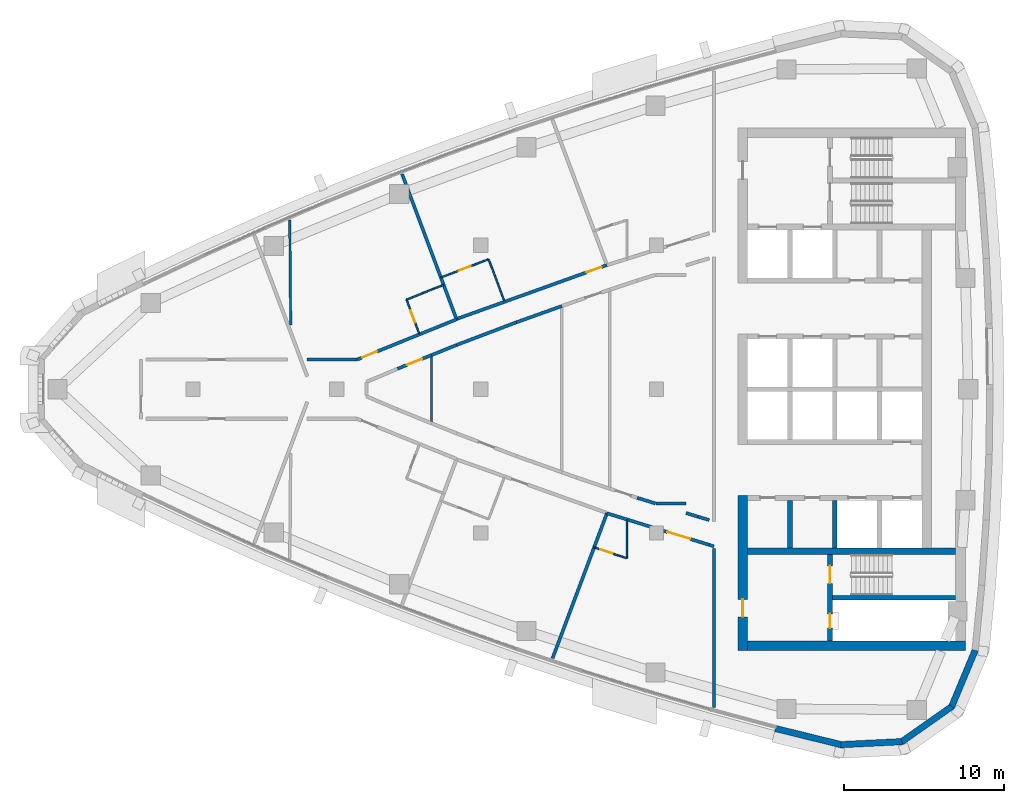
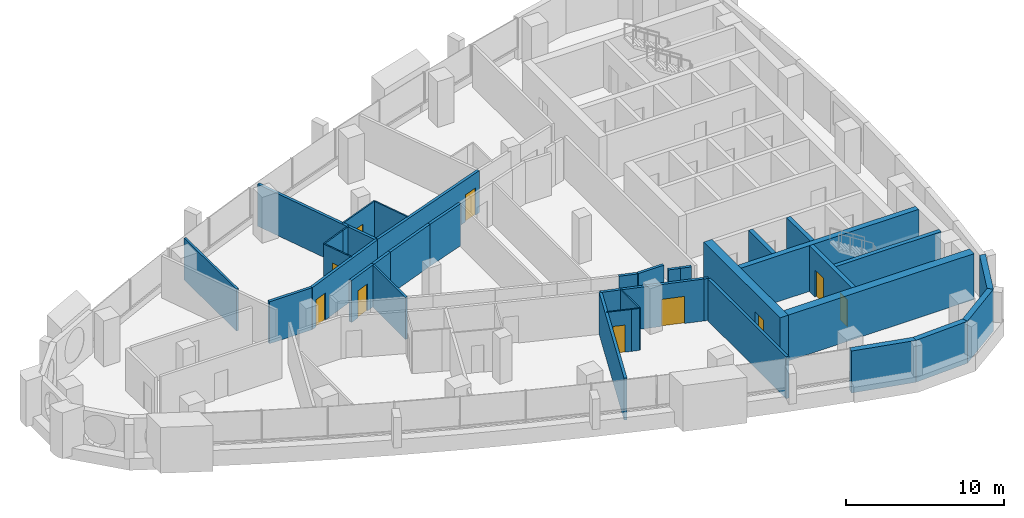
# One storey, part 9 of 15: 37 walls, 10 doors, 10 openings.
"""IFC4 building model written with IfcOpenShell, lengths in metres."""

from ifc_helpers import new_model, si_unit, direction, frame, frame_2d, origin, place, context, subcontext, project, spatial, polyline, rectangle, outline, extrude, material, layer, layer_set, type_object, element, fill, save


model = new_model("IFC4")

# Units and contexts
model_context = context("Model", 3, precision=1e-05, world=origin(), true_north=direction((0.0, 1.0)))
body_context = subcontext(model_context, "Body", "Model", "MODEL_VIEW")
ifc_project = project(units=[si_unit("LENGTHUNIT", "METRE"), si_unit("AREAUNIT", "SQUARE_METRE"), si_unit("VOLUMEUNIT", "CUBIC_METRE"), si_unit("PLANEANGLEUNIT", "RADIAN"), si_unit("MASSUNIT", "GRAM", prefix="KILO")], contexts=[model_context])

# Site, building, storey
site_placement = place(None, origin())
site = spatial("IfcSite", under=ifc_project, at=site_placement, CompositionType="ELEMENT")
building_placement = place(site_placement, origin())
building = spatial("IfcBuilding", under=site, at=building_placement, Name="Ostrand Prow Hotel Tower", CompositionType="ELEMENT")
storey_placement = place(building_placement, frame((0.0, 0.0, 231.449951171875)))
storey = spatial("IfcBuildingStorey", under=building, at=storey_placement, Name="L58", CompositionType="ELEMENT", Elevation=231.449951171875)

# Walls
ifc_material_1 = material(Name="Concrete C50/60", Category="concrete")
ifc_layer_1 = layer(ifc_material_1, 0.300048828125)
ifc_layer_set_1 = layer_set([ifc_layer_1], Name="Concrete C50/60")
wall_type_1 = type_object("IfcWallType", Name="Core wall 300 C50/60", PredefinedType="SHEAR", material=ifc_layer_set_1)
for number, where, z_axis, x_axis, name in (
    (1, (53.35009765625, -9.949951171875, 0.0), (0.0, 0.0, 1.0), (0.0, 1.0, 0.0), "Core wall PW-R1-SA"),
    (2, (56.14990234375, -9.949951171875, 0.0), (0.0, 0.0, 1.0), (0.0, 1.0, 0.0), "Core wall PW-R2-SA"),
):
    element("IfcWall", number, at=place(storey_placement, frame(where, z_axis=z_axis, x_axis=x_axis)), inside=storey, type_object=wall_type_1, Name=name, PredefinedType="SHEAR", context=body_context, shape_type="SweptSolid", body=[
        extrude(rectangle(XDim=3.0, YDim=0.300048828125, at=frame_2d((1.5, 0.0))), origin(), (0.0, 0.0, 1.0), 3.550048828125),
    ])

# Wall, openings, doors
wall_1_placement = place(storey_placement, frame((55.85009765625, -15.75, 0.0), z_axis=(0.0, 0.0, 1.0), x_axis=(0.0, 1.0, 0.0)))
wall_1 = element("IfcWall", 3, at=wall_1_placement, inside=storey, type_object=wall_type_1, Name="Core wall PW-VS", PredefinedType="SHEAR", context=body_context, shape_type="SweptSolid", body=[
    extrude(rectangle(XDim=5.39990234375, YDim=0.300048828125, at=frame_2d((2.699951171875, 0.0))), origin(), (0.0, 0.0, 1.0), 3.550048828125),
])
opening_1_placement = place(wall_1_placement, frame((3.60009765625, 0.0, 0.0)))
opening_1 = element("IfcOpeningElement", 4, at=opening_1_placement, cuts=wall_1, Name="Opening FD1", PredefinedType="OPENING", context=body_context, shape_type="SweptSolid", body=[
    extrude(rectangle(XDim=1.10009765625, YDim=2.10009765625, at=frame_2d((0.550048828125, 1.050048828125))), frame((0.0, 0.159912109375, 0.0), z_axis=(0.0, -1.0, 0.0), x_axis=(1.0, 0.0, 0.0)), (0.0, 0.0, 1.0), 0.320068359375),
])
opening_2_placement = place(wall_1_placement, frame((0.800048828125, 0.0, 0.0)))
opening_2 = element("IfcOpeningElement", 5, at=opening_2_placement, cuts=wall_1, Name="Opening FD2", PredefinedType="OPENING", context=body_context, shape_type="SweptSolid", body=[
    extrude(rectangle(XDim=0.89990234375, YDim=2.10009765625, at=frame_2d((0.449951171875, 1.050048828125))), frame((0.0, 0.159912109375, 0.0), z_axis=(0.0, -1.0, 0.0), x_axis=(1.0, 0.0, 0.0)), (0.0, 0.0, 1.0), 0.320068359375),
])
ifc_material_2 = material(Name="Steel fire door", Category="steel")
door_type_1 = type_object("IfcDoorType", Name="Fire door 1100 EI120", OperationType="SINGLE_SWING_RIGHT", PredefinedType="DOOR", material=ifc_material_2)
door_1_placement = place(opening_1_placement, origin())
door_1 = element("IfcDoor", 6, at=door_1_placement, inside=storey, type_object=door_type_1, Name="FIRE DOOR", OperationType="SINGLE_SWING_RIGHT", OverallHeight=2.10009765625, OverallWidth=1.10009765625, PredefinedType="DOOR", context=body_context, shape_type="SweptSolid", body=[
    extrude(rectangle(XDim=1.10009765625, YDim=2.10009765625, at=frame_2d((0.550048828125, 1.050048828125))), frame((0.0, 0.02490234375, 0.0), z_axis=(0.0, -1.0, 0.0), x_axis=(1.0, 0.0, 0.0)), (0.0, 0.0, 1.0), 0.050048828125),
])
fill(opening_1, door_1)
ifc_material_3 = material(Name="Steel fire door", Category="steel")
door_type_2 = type_object("IfcDoorType", Name="Fire door 900 EI120", OperationType="SINGLE_SWING_LEFT", PredefinedType="DOOR", material=ifc_material_3)
door_2_placement = place(opening_2_placement, origin())
door_2 = element("IfcDoor", 7, at=door_2_placement, inside=storey, type_object=door_type_2, Name="FIRE DOOR", OperationType="SINGLE_SWING_LEFT", OverallHeight=2.10009765625, OverallWidth=0.89990234375, PredefinedType="DOOR", context=body_context, shape_type="SweptSolid", body=[
    extrude(rectangle(XDim=0.89990234375, YDim=2.10009765625, at=frame_2d((0.449951171875, 1.050048828125))), frame((0.0, 0.02490234375, 0.0), z_axis=(0.0, -1.0, 0.0), x_axis=(1.0, 0.0, 0.0)), (0.0, 0.0, 1.0), 0.050048828125),
])
fill(opening_2, door_2)

# Walls
wall_2_placement = place(storey_placement, frame((56.0, -13.050048828125, 0.0), z_axis=(0.0, 0.0, 1.0), x_axis=(1.0, 0.0, 0.0)))
element("IfcWall", 8, at=wall_2_placement, inside=storey, type_object=wall_type_1, Name="Core wall PW-ST2R", PredefinedType="SHEAR", context=body_context, shape_type="SweptSolid", body=[
    extrude(rectangle(XDim=7.719970703125, YDim=0.300048828125, at=frame_2d((3.85986328125, 0.0))), origin(), (0.0, 0.0, 1.0), 3.550048828125),
])
ifc_material_4 = material(Name="Concrete C50/60", Category="concrete")
ifc_layer_2 = layer(ifc_material_4, 0.39990234375)
ifc_layer_set_2 = layer_set([ifc_layer_2], Name="Concrete C50/60")
wall_type_2 = type_object("IfcWallType", Name="Core wall 400 C50/60", PredefinedType="SHEAR", material=ifc_layer_set_2)
wall_3_placement = place(storey_placement, frame((50.699951171875, -10.14990234375, 0.0), z_axis=(0.0, 0.0, 1.0), x_axis=(1.0, 0.0, 0.0)))
element("IfcWall", 9, at=wall_3_placement, inside=storey, type_object=wall_type_2, Name="Core wall PW-BS", PredefinedType="SHEAR", context=body_context, shape_type="SweptSolid", body=[
    extrude(rectangle(XDim=13.02001953125, YDim=0.39990234375, at=frame_2d((6.510009765625, 0.0))), origin(), (0.0, 0.0, 1.0), 3.550048828125),
])

# Wall, opening, door
ifc_material_5 = material(Name="Concrete C50/60", Category="concrete")
ifc_layer_3 = layer(ifc_material_5, 0.60009765625)
ifc_layer_set_3 = layer_set([ifc_layer_3], Name="Concrete C50/60")
wall_type_3 = type_object("IfcWallType", Name="Core wall 600 C50/60", PredefinedType="SHEAR", material=ifc_layer_set_3)
wall_4_placement = place(storey_placement, frame((50.39990234375, -16.35009765625, 0.0), z_axis=(0.0, 0.0, 1.0), x_axis=(0.0, 1.0, 0.0)))
wall_4 = element("IfcWall", 10, at=wall_4_placement, inside=storey, type_object=wall_type_3, Name="Core wall CW-W-S", PredefinedType="SHEAR", context=body_context, shape_type="SweptSolid", body=[
    extrude(rectangle(XDim=9.7001953125, YDim=0.60009765625, at=frame_2d((4.85009765625, 0.0))), origin(), (0.0, 0.0, 1.0), 3.550048828125),
])
opening_3_placement = place(wall_4_placement, frame((2.10009765625, 0.0, 0.0)))
opening_3 = element("IfcOpeningElement", 11, at=opening_3_placement, cuts=wall_4, Name="Opening FD1", PredefinedType="OPENING", context=body_context, shape_type="SweptSolid", body=[
    extrude(rectangle(XDim=1.10009765625, YDim=2.10009765625, at=frame_2d((0.550048828125, 1.050048828125))), frame((0.0, 0.31005859375, 0.0), z_axis=(0.0, -1.0, 0.0), x_axis=(1.0, 0.0, 0.0)), (0.0, 0.0, 1.0), 0.6201171875),
])
door_3_placement = place(opening_3_placement, origin())
door_3 = element("IfcDoor", 12, at=door_3_placement, inside=storey, type_object=door_type_1, Name="FIRE DOOR", OperationType="SINGLE_SWING_RIGHT", OverallHeight=2.10009765625, OverallWidth=1.10009765625, PredefinedType="DOOR", context=body_context, shape_type="SweptSolid", body=[
    extrude(rectangle(XDim=1.10009765625, YDim=2.10009765625, at=frame_2d((0.550048828125, 1.050048828125))), frame((0.0, 0.02490234375, 0.0), z_axis=(0.0, -1.0, 0.0), x_axis=(1.0, 0.0, 0.0)), (0.0, 0.0, 1.0), 0.050048828125),
])
fill(opening_3, door_3)

# Walls
wall_5_placement = place(storey_placement, frame((50.699951171875, -16.050048828125, 0.0), z_axis=(0.0, 0.0, 1.0), x_axis=(1.0, 0.0, 0.0)))
element("IfcWall", 13, at=wall_5_placement, inside=storey, type_object=wall_type_3, Name="Core wall CW-S", PredefinedType="SHEAR", context=body_context, shape_type="SweptSolid", body=[
    extrude(rectangle(XDim=13.6201171875, YDim=0.60009765625, at=frame_2d((6.81005859375, 0.0))), origin(), (0.0, 0.0, 1.0), 3.550048828125),
])
ifc_material_6 = material(Name="Plasterboard partition")
ifc_layer_4 = layer(ifc_material_6, 0.10009765625)
ifc_layer_set_4 = layer_set([ifc_layer_4], Name="Plasterboard partition")
wall_type_4 = type_object("IfcWallType", Name="Partition 100 bathroom wall", PredefinedType="PARTITIONING", material=ifc_layer_set_4)
wall_6_placement = place(storey_placement, frame((29.360107421875, 5.599853515625, 0.0), z_axis=(0.0, 0.0, 1.0), x_axis=(0.927594225674, 0.373589283166, 0.0)))
element("IfcWall", 14, at=wall_6_placement, inside=storey, type_object=wall_type_4, Name="BATHROOM WALL", PredefinedType="PARTITIONING", context=body_context, shape_type="SweptSolid", body=[
    extrude(rectangle(XDim=1.89453125, YDim=0.10009765625, at=frame_2d((0.947265625, 0.0))), origin(), (0.0, 0.0, 1.0), 3.25),
])
wall_7_placement = place(storey_placement, frame((31.117431640625, 6.3076171875, 0.0), z_axis=(0.0, 0.0, 1.0), x_axis=(0.935048188903, 0.354520640342, 0.0)))
element("IfcWall", 15, at=wall_7_placement, inside=storey, type_object=wall_type_4, Name="BATHROOM WALL", PredefinedType="PARTITIONING", context=body_context, shape_type="SweptSolid", body=[
    extrude(rectangle(XDim=0.60595703125, YDim=0.10009765625, at=frame_2d((0.302978515625, 0.0))), origin(), (0.0, 0.0, 1.0), 3.25),
])

# Wall, opening, door
wall_8_placement = place(storey_placement, frame((30.159912109375, 3.46728515625, 0.0), z_axis=(0.0, 0.0, 1.0), x_axis=(-0.351158682313, 0.936315961541, 0.0)))
wall_8 = element("IfcWall", 16, at=wall_8_placement, inside=storey, type_object=wall_type_4, Name="BATHROOM WALL", PredefinedType="PARTITIONING", context=body_context, shape_type="SweptSolid", body=[
    extrude(rectangle(XDim=2.277587890625, YDim=0.10009765625, at=frame_2d((1.138671875, 0.0))), origin(), (0.0, 0.0, 1.0), 3.25),
])
opening_4_placement = place(wall_8_placement, frame((0.75, 0.0, 0.0)))
opening_4 = element("IfcOpeningElement", 17, at=opening_4_placement, cuts=wall_8, Name="Opening D2", PredefinedType="OPENING", context=body_context, shape_type="SweptSolid", body=[
    extrude(rectangle(XDim=0.800048828125, YDim=2.10009765625, at=frame_2d((0.39990234375, 1.050048828125))), frame((0.0, 0.06005859375, 0.0), z_axis=(0.0, -1.0, 0.0), x_axis=(1.0, 0.0, 0.0)), (0.0, 0.0, 1.0), 0.1201171875),
])
ifc_material_7 = material(Name="Timber door leaf", Category="wood")
door_type_3 = type_object("IfcDoorType", Name="Bathroom door 800", OperationType="SINGLE_SWING_LEFT", PredefinedType="DOOR", material=ifc_material_7)
door_4_placement = place(opening_4_placement, origin())
door_4 = element("IfcDoor", 18, at=door_4_placement, inside=storey, type_object=door_type_3, Name="DOOR", OperationType="SINGLE_SWING_LEFT", OverallHeight=2.10009765625, OverallWidth=0.800048828125, PredefinedType="DOOR", context=body_context, shape_type="SweptSolid", body=[
    extrude(rectangle(XDim=0.800048828125, YDim=2.10009765625, at=frame_2d((0.39990234375, 1.050048828125))), frame((0.0, 0.02490234375, 0.0), z_axis=(0.0, -1.0, 0.0), x_axis=(1.0, 0.0, 0.0)), (0.0, 0.0, 1.0), 0.050048828125),
])
fill(opening_4, door_4)

wall_9_placement = place(storey_placement, frame((31.508544921875, 6.99072265625, 0.0), z_axis=(0.0, 0.0, 1.0), x_axis=(0.934948661714, 0.354783032232, 0.0)))
wall_9 = element("IfcWall", 19, at=wall_9_placement, inside=storey, type_object=wall_type_4, Name="BATHROOM WALL", PredefinedType="PARTITIONING", context=body_context, shape_type="SweptSolid", body=[
    extrude(rectangle(XDim=3.199951171875, YDim=0.10009765625, at=frame_2d((1.60009765625, 0.0))), origin(), (0.0, 0.0, 1.0), 3.25),
])
opening_5_placement = place(wall_9_placement, frame((1.199951171875, 0.0, 0.0)))
opening_5 = element("IfcOpeningElement", 20, at=opening_5_placement, cuts=wall_9, Name="Opening D2", PredefinedType="OPENING", context=body_context, shape_type="SweptSolid", body=[
    extrude(rectangle(XDim=0.800048828125, YDim=2.10009765625, at=frame_2d((0.39990234375, 1.050048828125))), frame((0.0, 0.06005859375, 0.0), z_axis=(0.0, -1.0, 0.0), x_axis=(1.0, 0.0, 0.0)), (0.0, 0.0, 1.0), 0.1201171875),
])
door_5_placement = place(opening_5_placement, origin())
door_5 = element("IfcDoor", 21, at=door_5_placement, inside=storey, type_object=door_type_3, Name="DOOR", OperationType="SINGLE_SWING_LEFT", OverallHeight=2.10009765625, OverallWidth=0.800048828125, PredefinedType="DOOR", context=body_context, shape_type="SweptSolid", body=[
    extrude(rectangle(XDim=0.800048828125, YDim=2.10009765625, at=frame_2d((0.39990234375, 1.050048828125))), frame((0.0, 0.02490234375, 0.0), z_axis=(0.0, -1.0, 0.0), x_axis=(1.0, 0.0, 0.0)), (0.0, 0.0, 1.0), 0.050048828125),
])
fill(opening_5, door_5)

# Walls
wall_10_placement = place(storey_placement, frame((34.50048828125, 8.1259765625, 0.0), z_axis=(0.0, 0.0, 1.0), x_axis=(0.351065630332, -0.936350854755, 0.0)))
element("IfcWall", 22, at=wall_10_placement, inside=storey, type_object=wall_type_4, Name="BATHROOM WALL", PredefinedType="PARTITIONING", context=body_context, shape_type="SweptSolid", body=[
    extrude(rectangle(XDim=2.77685546875, YDim=0.10009765625, at=frame_2d((1.388427734375, 0.0))), origin(), (0.0, 0.0, 1.0), 3.25),
])
wall_11_placement = place(storey_placement, frame((43.127685546875, -10.567626953125, 0.0), z_axis=(0.0, 0.0, 1.0), x_axis=(-0.954618903587, 0.297830067176, 0.0)))
element("IfcWall", 23, at=wall_11_placement, inside=storey, type_object=wall_type_4, Name="BATHROOM WALL", PredefinedType="PARTITIONING", context=body_context, shape_type="SweptSolid", body=[
    extrude(rectangle(XDim=0.53125, YDim=0.10009765625, at=frame_2d((0.265625, 0.0))), origin(), (0.0, 0.0, 1.0), 3.25),
])

# Wall, opening, door
wall_12_placement = place(storey_placement, frame((42.62060546875, -10.409423828125, 0.0), z_axis=(0.0, 0.0, 1.0), x_axis=(-0.948485479965, 0.3168206027, 0.0)))
wall_12 = element("IfcWall", 24, at=wall_12_placement, inside=storey, type_object=wall_type_4, Name="BATHROOM WALL", PredefinedType="PARTITIONING", context=body_context, shape_type="SweptSolid", body=[
    extrude(rectangle(XDim=1.60595703125, YDim=0.10009765625, at=frame_2d((0.802978515625, 0.0))), origin(), (0.0, 0.0, 1.0), 3.25),
])
opening_6_placement = place(wall_12_placement, frame((0.39990234375, 0.0, 0.0)))
opening_6 = element("IfcOpeningElement", 25, at=opening_6_placement, cuts=wall_12, Name="Opening D2", PredefinedType="OPENING", context=body_context, shape_type="SweptSolid", body=[
    extrude(rectangle(XDim=0.800048828125, YDim=2.10009765625, at=frame_2d((0.39990234375, 1.050048828125))), frame((0.0, 0.06005859375, 0.0), z_axis=(0.0, -1.0, 0.0), x_axis=(1.0, 0.0, 0.0)), (0.0, 0.0, 1.0), 0.1201171875),
])
door_6_placement = place(opening_6_placement, origin())
door_6 = element("IfcDoor", 26, at=door_6_placement, inside=storey, type_object=door_type_3, Name="DOOR", OperationType="SINGLE_SWING_LEFT", OverallHeight=2.10009765625, OverallWidth=0.800048828125, PredefinedType="DOOR", context=body_context, shape_type="SweptSolid", body=[
    extrude(rectangle(XDim=0.800048828125, YDim=2.10009765625, at=frame_2d((0.39990234375, 1.050048828125))), frame((0.0, 0.02490234375, 0.0), z_axis=(0.0, -1.0, 0.0), x_axis=(1.0, 0.0, 0.0)), (0.0, 0.0, 1.0), 0.050048828125),
])
fill(opening_6, door_6)

# Walls
wall_13_placement = place(storey_placement, frame((43.14501953125, -8.1650390625, 0.0), z_axis=(0.0, 0.0, 1.0), x_axis=(0.0, -1.0, 0.0)))
element("IfcWall", 27, at=wall_13_placement, inside=storey, type_object=wall_type_4, Name="BATHROOM WALL", PredefinedType="PARTITIONING", context=body_context, shape_type="SweptSolid", body=[
    extrude(rectangle(XDim=2.42529296875, YDim=0.10009765625, at=frame_2d((1.212646484375, 0.0))), origin(), (0.0, 0.0, 1.0), 3.25),
])
ifc_material_8 = material(Name="Plasterboard partition")
ifc_layer_5 = layer(ifc_material_8, 0.14990234375)
ifc_layer_set_5 = layer_set([ifc_layer_5], Name="Plasterboard partition")
wall_type_5 = type_object("IfcWallType", Name="Partition 150 room partition", PredefinedType="PARTITIONING", material=ifc_layer_set_5)
wall_14_placement = place(storey_placement, frame((30.926025390625, -2.134033203125, 0.0), z_axis=(0.0, 0.0, 1.0), x_axis=(0.0, 1.0, 0.0)))
element("IfcWall", 28, at=wall_14_placement, inside=storey, type_object=wall_type_5, Name="ROOM PARTITION", PredefinedType="PARTITIONING", context=body_context, shape_type="SweptSolid", body=[
    extrude(rectangle(XDim=4.26806640625, YDim=0.14990234375, at=frame_2d((2.134033203125, 0.0))), origin(), (0.0, 0.0, 1.0), 3.25),
])
wall_15_placement = place(storey_placement, frame((22.057373046875, 10.577880859375, 0.0), z_axis=(0.0, 0.0, 1.0), x_axis=(0.008379594055, -0.999964890585, 0.0)))
element("IfcWall", 29, at=wall_15_placement, inside=storey, type_object=wall_type_5, Name="ROOM PARTITION", PredefinedType="PARTITIONING", context=body_context, shape_type="SweptSolid", body=[
    extrude(rectangle(XDim=6.555419921875, YDim=0.14990234375, at=frame_2d((3.27783203125, 0.0))), origin(), (0.0, 0.0, 1.0), 3.25),
])

# Wall, opening, door
ifc_material_9 = material(Name="Plasterboard partition")
ifc_layer_6 = layer(ifc_material_9, 0.199951171875)
ifc_layer_set_6 = layer_set([ifc_layer_6], Name="Plasterboard partition")
wall_type_6 = type_object("IfcWallType", Name="Partition 200 corridor wall", PredefinedType="PARTITIONING", material=ifc_layer_set_6)
wall_16_placement = place(storey_placement, frame((26.265869140625, 1.85009765625, 0.0), z_axis=(0.0, 0.0, 1.0), x_axis=(0.927007906702, 0.375041785555, 0.0)))
wall_16 = element("IfcWall", 30, at=wall_16_placement, inside=storey, type_object=wall_type_6, Name="CORRIDOR WALL", PredefinedType="PARTITIONING", context=body_context, shape_type="SweptSolid", body=[
    extrude(rectangle(XDim=6.716064453125, YDim=0.199951171875, at=frame_2d((3.35791015625, 0.0))), origin(), (0.0, 0.0, 1.0), 3.25),
])
opening_7_placement = place(wall_16_placement, frame((0.35009765625, 0.0, 0.0)))
opening_7 = element("IfcOpeningElement", 31, at=opening_7_placement, cuts=wall_16, Name="Opening D1", PredefinedType="OPENING", context=body_context, shape_type="SweptSolid", body=[
    extrude(rectangle(XDim=1.0, YDim=2.10009765625, at=frame_2d((0.5, 1.050048828125))), frame((0.0, 0.10986328125, 0.0), z_axis=(0.0, -1.0, 0.0), x_axis=(1.0, 0.0, 0.0)), (0.0, 0.0, 1.0), 0.219970703125),
])
ifc_material_10 = material(Name="Timber door leaf", Category="wood")
door_type_4 = type_object("IfcDoorType", Name="Guest room door 1000", OperationType="SINGLE_SWING_LEFT", PredefinedType="DOOR", material=ifc_material_10)
door_7_placement = place(opening_7_placement, origin())
door_7 = element("IfcDoor", 32, at=door_7_placement, inside=storey, type_object=door_type_4, Name="DOOR", OperationType="SINGLE_SWING_LEFT", OverallHeight=2.10009765625, OverallWidth=1.0, PredefinedType="DOOR", context=body_context, shape_type="SweptSolid", body=[
    extrude(rectangle(XDim=1.0, YDim=2.10009765625, at=frame_2d((0.5, 1.050048828125))), frame((0.0, 0.02490234375, 0.0), z_axis=(0.0, -1.0, 0.0), x_axis=(1.0, 0.0, 0.0)), (0.0, 0.0, 1.0), 0.050048828125),
])
fill(opening_7, door_7)

wall_17_placement = place(storey_placement, frame((41.8984375, 7.764404296875, 0.0), z_axis=(0.0, 0.0, 1.0), x_axis=(-0.941277643829, -0.337633525034, 0.0)))
wall_17 = element("IfcWall", 33, at=wall_17_placement, inside=storey, type_object=wall_type_6, Name="CORRIDOR WALL", PredefinedType="PARTITIONING", context=body_context, shape_type="SweptSolid", body=[
    extrude(rectangle(XDim=10.001220703125, YDim=0.199951171875, at=frame_2d((5.00048828125, 0.0))), origin(), (0.0, 0.0, 1.0), 3.25),
])
opening_8_placement = place(wall_17_placement, frame((0.35009765625, 0.0, 0.0)))
opening_8 = element("IfcOpeningElement", 34, at=opening_8_placement, cuts=wall_17, Name="Opening D1", PredefinedType="OPENING", context=body_context, shape_type="SweptSolid", body=[
    extrude(rectangle(XDim=1.0, YDim=2.10009765625, at=frame_2d((0.5, 1.050048828125))), frame((0.0, 0.10986328125, 0.0), z_axis=(0.0, -1.0, 0.0), x_axis=(1.0, 0.0, 0.0)), (0.0, 0.0, 1.0), 0.219970703125),
])
door_8_placement = place(opening_8_placement, origin())
door_8 = element("IfcDoor", 35, at=door_8_placement, inside=storey, type_object=door_type_4, Name="DOOR", OperationType="SINGLE_SWING_LEFT", OverallHeight=2.10009765625, OverallWidth=1.0, PredefinedType="DOOR", context=body_context, shape_type="SweptSolid", body=[
    extrude(rectangle(XDim=1.0, YDim=2.10009765625, at=frame_2d((0.5, 1.050048828125))), frame((0.0, 0.02490234375, 0.0), z_axis=(0.0, -1.0, 0.0), x_axis=(1.0, 0.0, 0.0)), (0.0, 0.0, 1.0), 0.050048828125),
])
fill(opening_8, door_8)

wall_18_placement = place(storey_placement, frame((28.795654296875, 1.276123046875, 0.0), z_axis=(0.0, 0.0, 1.0), x_axis=(0.927609077038, 0.373552406224, 0.0)))
wall_18 = element("IfcWall", 36, at=wall_18_placement, inside=storey, type_object=wall_type_6, Name="CORRIDOR WALL", PredefinedType="PARTITIONING", context=body_context, shape_type="SweptSolid", body=[
    extrude(rectangle(XDim=2.296630859375, YDim=0.199951171875, at=frame_2d((1.1484375, 0.0))), origin(), (0.0, 0.0, 1.0), 3.25),
])
opening_9_placement = place(wall_18_placement, frame((0.648193359375, 0.0, 0.0)))
opening_9 = element("IfcOpeningElement", 37, at=opening_9_placement, cuts=wall_18, Name="Opening D1R", PredefinedType="OPENING", context=body_context, shape_type="SweptSolid", body=[
    extrude(rectangle(XDim=1.0, YDim=2.10009765625, at=frame_2d((0.5, 1.050048828125))), frame((0.0, 0.10986328125, 0.0), z_axis=(0.0, -1.0, 0.0), x_axis=(1.0, 0.0, 0.0)), (0.0, 0.0, 1.0), 0.219970703125),
])
ifc_material_11 = material(Name="Timber door leaf", Category="wood")
door_type_5 = type_object("IfcDoorType", Name="Guest room door 1000 right", OperationType="SINGLE_SWING_RIGHT", PredefinedType="DOOR", material=ifc_material_11)
door_9_placement = place(opening_9_placement, origin())
door_9 = element("IfcDoor", 38, at=door_9_placement, inside=storey, type_object=door_type_5, Name="DOOR", OperationType="SINGLE_SWING_RIGHT", OverallHeight=2.10009765625, OverallWidth=1.0, PredefinedType="DOOR", context=body_context, shape_type="SweptSolid", body=[
    extrude(rectangle(XDim=1.0, YDim=2.10009765625, at=frame_2d((0.5, 1.050048828125))), frame((0.0, 0.02490234375, 0.0), z_axis=(0.0, -1.0, 0.0), x_axis=(1.0, 0.0, 0.0)), (0.0, 0.0, 1.0), 0.050048828125),
])
fill(opening_9, door_9)

# Walls
wall_19_placement = place(storey_placement, frame((30.926025390625, 2.134033203125, 0.0), z_axis=(0.0, 0.0, 1.0), x_axis=(0.927641577565, 0.373471690456, 0.0)))
element("IfcWall", 39, at=wall_19_placement, inside=storey, type_object=wall_type_6, Name="CORRIDOR WALL", PredefinedType="PARTITIONING", context=body_context, shape_type="SweptSolid", body=[
    extrude(rectangle(XDim=1.6982421875, YDim=0.199951171875, at=frame_2d((0.84912109375, 0.0))), origin(), (0.0, 0.0, 1.0), 3.25),
])
wall_20_placement = place(storey_placement, frame((32.50146484375, 2.768310546875, 0.0), z_axis=(0.0, 0.0, 1.0), x_axis=(0.934950696546, 0.354777669856, 0.0)))
element("IfcWall", 40, at=wall_20_placement, inside=storey, type_object=wall_type_6, Name="CORRIDOR WALL", PredefinedType="PARTITIONING", context=body_context, shape_type="SweptSolid", body=[
    extrude(rectangle(XDim=3.99462890625, YDim=0.199951171875, at=frame_2d((1.997314453125, 0.0))), origin(), (0.0, 0.0, 1.0), 3.25),
])
wall_21_placement = place(storey_placement, frame((36.236328125, 4.185546875, 0.0), z_axis=(0.0, 0.0, 1.0), x_axis=(0.941908381697, 0.335869916023, 0.0)))
element("IfcWall", 41, at=wall_21_placement, inside=storey, type_object=wall_type_6, Name="CORRIDOR WALL", PredefinedType="PARTITIONING", context=body_context, shape_type="SweptSolid", body=[
    extrude(rectangle(XDim=3.017333984375, YDim=0.199951171875, at=frame_2d((1.5087890625, 0.0))), origin(), (0.0, 0.0, 1.0), 3.25),
])
wall_22_placement = place(storey_placement, frame((47.60205078125, -7.982421875, 0.0), z_axis=(0.0, 0.0, 1.0), x_axis=(-0.95461224237, 0.297851417181, 0.0)))
element("IfcWall", 42, at=wall_22_placement, inside=storey, type_object=wall_type_6, Name="CORRIDOR WALL", PredefinedType="PARTITIONING", context=body_context, shape_type="SweptSolid", body=[
    extrude(rectangle(XDim=0.78759765625, YDim=0.199951171875, at=frame_2d((0.393798828125, 0.0))), origin(), (0.0, 0.0, 1.0), 3.25),
])
wall_23_placement = place(storey_placement, frame((44.9326171875, -7.14990234375, 0.0), z_axis=(0.0, 0.0, 1.0), x_axis=(-0.954693570678, 0.29759063511, 0.0)))
element("IfcWall", 43, at=wall_23_placement, inside=storey, type_object=wall_type_6, Name="CORRIDOR WALL", PredefinedType="PARTITIONING", context=body_context, shape_type="SweptSolid", body=[
    extrude(rectangle(XDim=1.198486328125, YDim=0.199951171875, at=frame_2d((0.59912109375, 0.0))), origin(), (0.0, 0.0, 1.0), 3.25),
])

# Wall, opening, door
wall_24_placement = place(storey_placement, frame((41.8984375, -7.764404296875, 0.0), z_axis=(0.0, 0.0, 1.0), x_axis=(0.955502033518, -0.294984514752, 0.0)))
wall_24 = element("IfcWall", 44, at=wall_24_placement, inside=storey, type_object=wall_type_6, Name="CORRIDOR WALL", PredefinedType="PARTITIONING", context=body_context, shape_type="SweptSolid", body=[
    extrude(rectangle(XDim=6.69970703125, YDim=0.199951171875, at=frame_2d((3.349853515625, 0.0))), origin(), (0.0, 0.0, 1.0), 3.25),
])
opening_10_placement = place(wall_24_placement, frame((3.949951171875, 0.0, 0.0)))
opening_10 = element("IfcOpeningElement", 45, at=opening_10_placement, cuts=wall_24, Name="Opening D15", PredefinedType="OPENING", context=body_context, shape_type="SweptSolid", body=[
    extrude(rectangle(XDim=1.5, YDim=2.10009765625, at=frame_2d((0.75, 1.050048828125))), frame((0.0, 0.10986328125, 0.0), z_axis=(0.0, -1.0, 0.0), x_axis=(1.0, 0.0, 0.0)), (0.0, 0.0, 1.0), 0.219970703125),
])
ifc_material_12 = material(Name="Timber door leaf", Category="wood")
door_type_6 = type_object("IfcDoorType", Name="Double door 1500", OperationType="DOUBLE_DOOR_SINGLE_SWING", PredefinedType="DOOR", material=ifc_material_12)
door_10_placement = place(opening_10_placement, origin())
door_10 = element("IfcDoor", 46, at=door_10_placement, inside=storey, type_object=door_type_6, Name="DOOR", OperationType="DOUBLE_DOOR_SINGLE_SWING", OverallHeight=2.10009765625, OverallWidth=1.5, PredefinedType="DOOR", context=body_context, shape_type="SweptSolid", body=[
    extrude(rectangle(XDim=1.5, YDim=2.10009765625, at=frame_2d((0.75, 1.050048828125))), frame((0.0, 0.02490234375, 0.0), z_axis=(0.0, -1.0, 0.0), x_axis=(1.0, 0.0, 0.0)), (0.0, 0.0, 1.0), 0.050048828125),
])
fill(opening_10, door_10)

# Walls
wall_25_placement = place(storey_placement, frame((48.300048828125, -8.184814453125, 0.0), z_axis=(0.0, 0.0, 1.0), x_axis=(-0.960439023181, 0.278490363839, 0.0)))
element("IfcWall", 47, at=wall_25_placement, inside=storey, type_object=wall_type_6, Name="CORRIDOR WALL", PredefinedType="PARTITIONING", context=body_context, shape_type="SweptSolid", body=[
    extrude(rectangle(XDim=0.726806640625, YDim=0.199951171875, at=frame_2d((0.36328125, 0.0))), origin(), (0.0, 0.0, 1.0), 3.25),
])
wall_26_placement = place(storey_placement, frame((46.8515625, -7.145263671875, 0.0), z_axis=(0.0, 0.0, 1.0), x_axis=(-0.99999999156, 0.000129920747, 0.0)))
element("IfcWall", 48, at=wall_26_placement, inside=storey, type_object=wall_type_6, Name="CORRIDOR WALL", PredefinedType="PARTITIONING", context=body_context, shape_type="SweptSolid", body=[
    extrude(rectangle(XDim=1.879150390625, YDim=0.199951171875, at=frame_2d((0.939453125, 0.0))), origin(), (0.0, 0.0, 1.0), 3.25),
])
wall_27_placement = place(storey_placement, frame((26.265869140625, 1.85009765625, 0.0), z_axis=(0.0, 0.0, 1.0), x_axis=(-0.999998892962, 0.001487977051, 0.0)))
element("IfcWall", 49, at=wall_27_placement, inside=storey, type_object=wall_type_6, Name="CORRIDOR WALL", PredefinedType="PARTITIONING", context=body_context, shape_type="SweptSolid", body=[
    extrude(rectangle(XDim=3.117431640625, YDim=0.199951171875, at=frame_2d((1.55859375, 0.0))), origin(), (0.0, 0.0, 1.0), 3.25),
])
wall_28_placement = place(storey_placement, frame((48.300048828125, -9.74072265625, 0.0), z_axis=(0.0, 0.0, 1.0), x_axis=(0.950709666312, -0.31008245739, 0.0)))
element("IfcWall", 50, at=wall_28_placement, inside=storey, type_object=wall_type_6, Name="CORRIDOR WALL", PredefinedType="PARTITIONING", context=body_context, shape_type="SweptSolid", body=[
    extrude(rectangle(XDim=0.310302734375, YDim=0.199951171875, at=frame_2d((0.1552734375, 0.0))), origin(), (0.0, 0.0, 1.0), 3.25),
])
wall_29_placement = place(storey_placement, frame((48.594970703125, -9.95703125, 0.0), z_axis=(0.0, 0.0, 1.0), x_axis=(0.0, -1.0, 0.0)))
element("IfcWall", 51, at=wall_29_placement, inside=storey, type_object=wall_type_6, Name="CORRIDOR WALL", PredefinedType="PARTITIONING", context=body_context, shape_type="SweptSolid", body=[
    extrude(rectangle(XDim=9.947265625, YDim=0.199951171875, at=frame_2d((4.9736328125, 0.0))), origin(), (0.0, 0.0, 1.0), 3.25),
])
ifc_material_13 = material(Name="Plasterboard partition")
ifc_layer_7 = layer(ifc_material_13, 0.199951171875)
ifc_layer_set_7 = layer_set([ifc_layer_7], Name="Plasterboard partition")
wall_type_7 = type_object("IfcWallType", Name="Partition 200 key partition", PredefinedType="PARTITIONING", material=ifc_layer_set_7)
wall_30_placement = place(storey_placement, frame((32.49169921875, 4.368896484375, 0.0), z_axis=(0.0, 0.0, 1.0), x_axis=(-0.351128958016, 0.93632710889, 0.0)))
element("IfcWall", 52, at=wall_30_placement, inside=storey, type_object=wall_type_7, Name="KEY PARTITION", PredefinedType="PARTITIONING", context=body_context, shape_type="SweptSolid", body=[
    extrude(rectangle(XDim=9.7001953125, YDim=0.199951171875, at=frame_2d((4.85009765625, 0.0))), origin(), (0.0, 0.0, 1.0), 3.25),
])
wall_31_placement = place(storey_placement, frame((38.497314453125, -16.833984375, 0.0), z_axis=(0.0, 0.0, 1.0), x_axis=(0.35112895446, 0.936327110224, 0.0)))
element("IfcWall", 53, at=wall_31_placement, inside=storey, type_object=wall_type_7, Name="KEY PARTITION", PredefinedType="PARTITIONING", context=body_context, shape_type="SweptSolid", body=[
    extrude(rectangle(XDim=9.706298828125, YDim=0.199951171875, at=frame_2d((4.85302734375, 0.0))), origin(), (0.0, 0.0, 1.0), 3.25),
])
ifc_material_14 = material(Name="Precast concrete C40/50", Category="concrete")
ifc_layer_8 = layer(ifc_material_14, 0.39990234375)
ifc_layer_set_8 = layer_set([ifc_layer_8], Name="Precast concrete C40/50")
wall_type_8 = type_object("IfcWallType", Name="Stone-faced precast wall 400 mm", PredefinedType="NOTDEFINED", material=ifc_layer_set_8)
wall_32_placement = place(storey_placement, frame((52.440673828125, -21.229736328125, 0.0), z_axis=(0.0, 0.0, 1.0), x_axis=(0.970902342456, -0.23947576373, 0.0)))
element("IfcWall", 54, at=wall_32_placement, inside=storey, type_object=wall_type_8, Name="Stone-faced wall back 1", PredefinedType="NOTDEFINED", context=body_context, shape_type="SweptSolid", body=[
    extrude(outline(polyline([(0.0, -0.199951171875), (4.255126953125, -0.199951171875), (4.196533203125, 0.199951171875), (0.0, 0.199951171875), (0.0, -0.199951171875)])), origin(), (0.0, 0.0, 1.0), 3.25),
])
wall_33_placement = place(storey_placement, frame((56.54345703125, -22.24169921875, 0.0), z_axis=(0.0, 0.0, 1.0), x_axis=(0.998758875872, 0.049806705046, 0.0)))
element("IfcWall", 55, at=wall_33_placement, inside=storey, type_object=wall_type_8, Name="Stone-faced wall back 2", PredefinedType="NOTDEFINED", context=body_context, shape_type="SweptSolid", body=[
    extrude(outline(polyline([(-0.029296875, -0.199951171875), (3.871337890625, -0.199951171875), (3.755615234375, 0.199951171875), (0.029296875, 0.199951171875), (-0.029296875, -0.199951171875)])), origin(), (0.0, 0.0, 1.0), 3.25),
])
wall_34_placement = place(storey_placement, frame((60.352294921875, -22.0517578125, 0.0), z_axis=(0.0, 0.0, 1.0), x_axis=(0.817942545532, 0.575299915009, 0.0)))
element("IfcWall", 56, at=wall_34_placement, inside=storey, type_object=wall_type_8, Name="Stone-faced wall back 3", PredefinedType="NOTDEFINED", context=body_context, shape_type="SweptSolid", body=[
    extrude(outline(polyline([(-0.057861328125, -0.199951171875), (3.871337890625, -0.199951171875), (3.755615234375, 0.199951171875), (0.057861328125, 0.199951171875), (-0.057861328125, -0.199951171875)])), origin(), (0.0, 0.0, 1.0), 3.25),
])
wall_35_placement = place(storey_placement, frame((63.471435546875, -19.85791015625, 0.0), z_axis=(0.0, 0.0, 1.0), x_axis=(0.3844335483, 0.923152667191, 0.0)))
element("IfcWall", 57, at=wall_35_placement, inside=storey, type_object=wall_type_8, Name="Stone-faced wall back 4", PredefinedType="NOTDEFINED", context=body_context, shape_type="SweptSolid", body=[
    extrude(outline(polyline([(-0.057861328125, -0.199951171875), (3.84326171875, -0.199951171875), (3.78369140625, 0.199951171875), (0.057861328125, 0.199951171875), (-0.057861328125, -0.199951171875)])), origin(), (0.0, 0.0, 1.0), 3.25),
])

save(model, "model.ifc")
